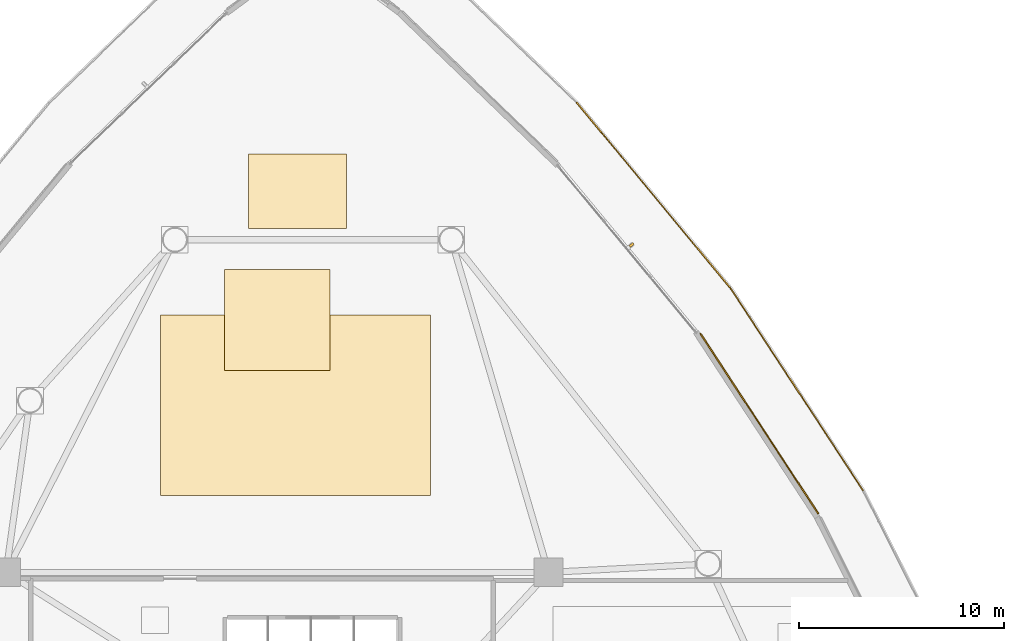
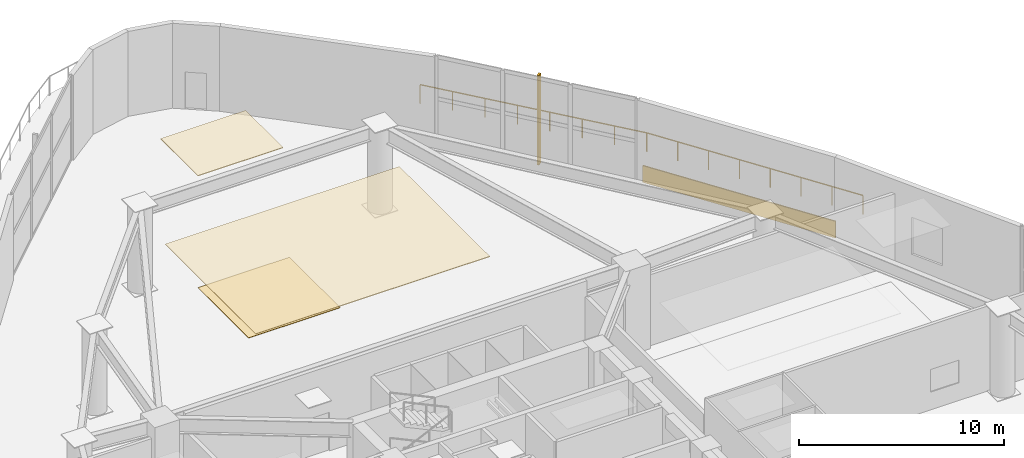
# One storey, part 23 of 25: 4 coverings, 2 railings, 1 shading device.
"""IFC4 building model written with IfcOpenShell, lengths in metres."""

from ifc_helpers import new_model, si_unit, direction, frame, origin, origin_2d, place, context, subcontext, project, spatial, polyline, rectangle, outline, extrude, source, transform, mapped, material, layer, layer_set, type_object, type_shapes, element, save


model = new_model("IFC4")

# Units and contexts
model_context = context("Model", 3, precision=1e-05, world=origin(), true_north=direction((0.0, 1.0)))
body_context = subcontext(model_context, "Body", "Model", "MODEL_VIEW")
ifc_project = project(units=[si_unit("LENGTHUNIT", "METRE"), si_unit("AREAUNIT", "SQUARE_METRE"), si_unit("VOLUMEUNIT", "CUBIC_METRE"), si_unit("PLANEANGLEUNIT", "RADIAN"), si_unit("MASSUNIT", "GRAM", prefix="KILO")], contexts=[model_context])

# Site, building, storey
site_placement = place(None, origin())
site = spatial("IfcSite", under=ifc_project, at=site_placement, CompositionType="ELEMENT")
building_placement = place(site_placement, origin())
building = spatial("IfcBuilding", under=site, at=building_placement, Name="Tavelor Broadcast Tower", CompositionType="ELEMENT")
storey_placement = place(building_placement, frame((0.0, 0.0, 11.39990234375)))
storey = spatial("IfcBuildingStorey", under=building, at=storey_placement, Name="L02", CompositionType="ELEMENT", Elevation=11.39990234375)

# Covering
ifc_material_1 = material(Name="Acoustic Nylon Carpet Tile")
ifc_layer_1 = layer(ifc_material_1, 0.02001953125)
ifc_layer_set_1 = layer_set([ifc_layer_1], Name="Acoustic Nylon Carpet Tile")
covering_type_1 = type_object("IfcCoveringType", Name="Heavy-Duty Acoustic Broadcast Carpet Tile 20 mm", PredefinedType="FLOORING", material=ifc_layer_set_1)
covering_1_placement = place(storey_placement, origin())
element("IfcCovering", 1, at=covering_1_placement, inside=storey, type_object=covering_type_1, Name="L02 Broadcast Floor Finish 0028", PredefinedType="FLOORING", context=body_context, shape_type="SweptSolid", body=[
    extrude(outline(polyline([(45.67431640625, 66.35205078125), (50.82568359375, 66.35205078125), (50.82568359375, 71.292236328125), (45.67431640625, 71.292236328125), (45.67431640625, 66.35205078125)])), origin(), (0.0, 0.0, 1.0), 0.02001953125),
])

# Railings
ifc_material_2 = material(Name="Steel S355", Category="steel")
railing_type = type_object("IfcRailingType", Name="Planted Terrace Laminated Glass Balustrade 1150 mm", PredefinedType="BALUSTRADE", material=ifc_material_2)
railing_1_placement = place(storey_placement, frame((76.860595703125, 60.50146484375, 0.0)))
element("IfcRailing", 2, at=railing_1_placement, inside=storey, type_object=railing_type, Name="L02 Cascading Garden Terrace 1 Balustrade #61", PredefinedType="BALUSTRADE", context=body_context, shape_type="SweptSolid", body=[
    extrude(rectangle(XDim=0.048095703125, YDim=0.048095703125, at=origin_2d()), frame((0.0, 0.0, 1.1259765625), z_axis=(-0.547797497948, 0.836610961703, 0.0), x_axis=(-0.836610961703, -0.547797497948, 0.0)), (0.0, 0.0, 1.0), 11.7939453125),
    extrude(rectangle(XDim=0.0419921875, YDim=0.0419921875, at=origin_2d()), origin(), (0.0, 0.0, 1.0), 1.101806640625),
    extrude(rectangle(XDim=0.0419921875, YDim=0.0419921875, at=origin_2d()), frame((-0.9228515625, 1.40966796875, 0.0)), (0.0, 0.0, 1.0), 1.101806640625),
    extrude(rectangle(XDim=0.0419921875, YDim=0.0419921875, at=origin_2d()), frame((-1.845947265625, 2.819091796875, 0.0)), (0.0, 0.0, 1.0), 1.101806640625),
    extrude(rectangle(XDim=0.0419921875, YDim=0.0419921875, at=origin_2d()), frame((-2.768798828125, 4.228759765625, 0.0)), (0.0, 0.0, 1.0), 1.101806640625),
    extrude(rectangle(XDim=0.0419921875, YDim=0.0419921875, at=origin_2d()), frame((-3.69189453125, 5.63818359375, 0.0)), (0.0, 0.0, 1.0), 1.101806640625),
    extrude(rectangle(XDim=0.0419921875, YDim=0.0419921875, at=origin_2d()), frame((-4.61474609375, 7.0478515625, 0.0)), (0.0, 0.0, 1.0), 1.101806640625),
    extrude(rectangle(XDim=0.0419921875, YDim=0.0419921875, at=origin_2d()), frame((-5.537841796875, 8.457275390625, 0.0)), (0.0, 0.0, 1.0), 1.101806640625),
    extrude(rectangle(XDim=0.0419921875, YDim=0.0419921875, at=origin_2d()), frame((-6.460693359375, 9.866943359375, 0.0)), (0.0, 0.0, 1.0), 1.101806640625),
])
railing_2_placement = place(storey_placement, frame((70.406494140625, 70.359375, 0.0)))
element("IfcRailing", 3, at=railing_2_placement, inside=storey, type_object=railing_type, Name="L02 Cascading Garden Terrace 1 Balustrade #62", PredefinedType="BALUSTRADE", context=body_context, shape_type="SweptSolid", body=[
    extrude(rectangle(XDim=0.048095703125, YDim=0.048095703125, at=origin_2d()), frame((0.0, 0.0, 1.1259765625), z_axis=(-0.638070467741, 0.76997797254, 0.0), x_axis=(-0.76997797254, -0.638070467741, 0.0)), (0.0, 0.0, 1.0), 11.793701171875),
    extrude(rectangle(XDim=0.0419921875, YDim=0.0419921875, at=origin_2d()), origin(), (0.0, 0.0, 1.0), 1.101806640625),
    extrude(rectangle(XDim=0.0419921875, YDim=0.0419921875, at=origin_2d()), frame((-1.074951171875, 1.29736328125, 0.0)), (0.0, 0.0, 1.0), 1.101806640625),
    extrude(rectangle(XDim=0.0419921875, YDim=0.0419921875, at=origin_2d()), frame((-2.150146484375, 2.594482421875, 0.0)), (0.0, 0.0, 1.0), 1.101806640625),
    extrude(rectangle(XDim=0.0419921875, YDim=0.0419921875, at=origin_2d()), frame((-3.22509765625, 3.891845703125, 0.0)), (0.0, 0.0, 1.0), 1.101806640625),
    extrude(rectangle(XDim=0.0419921875, YDim=0.0419921875, at=origin_2d()), frame((-4.300048828125, 5.18896484375, 0.0)), (0.0, 0.0, 1.0), 1.101806640625),
    extrude(rectangle(XDim=0.0419921875, YDim=0.0419921875, at=origin_2d()), frame((-5.375, 6.486328125, 0.0)), (0.0, 0.0, 1.0), 1.101806640625),
    extrude(rectangle(XDim=0.0419921875, YDim=0.0419921875, at=origin_2d()), frame((-6.4501953125, 7.783447265625, 0.0)), (0.0, 0.0, 1.0), 1.101806640625),
    extrude(rectangle(XDim=0.0419921875, YDim=0.0419921875, at=origin_2d()), frame((-7.525146484375, 9.080810546875, 0.0)), (0.0, 0.0, 1.0), 1.101806640625),
])

# Coverings
ifc_material_3 = material(Name="Kiln-Fired Glazed Terracotta", Category="masonry")
ifc_layer_2 = layer(ifc_material_3, 0.06494140625)
ifc_layer_set_2 = layer_set([ifc_layer_2], Name="Kiln-Fired Glazed Terracotta")
covering_type_2 = type_object("IfcCoveringType", Name="Ribbed Terracotta Rainscreen Spandrel Cladding 65 mm", PredefinedType="CLADDING", material=ifc_layer_set_2)
covering_2_placement = place(storey_placement, frame((71.795166015625, 63.7705078125, 0.050048828125), z_axis=(0.0, 0.0, 1.0), x_axis=(-0.547855275974, 0.836573126862, 0.0)))
element("IfcCovering", 4, at=covering_2_placement, inside=storey, type_object=covering_type_2, Name="L02 Terracotta Spandrel Rainscreen 28", PredefinedType="CLADDING", context=body_context, shape_type="SweptSolid", body=[
    extrude(rectangle(XDim=10.533203125, YDim=0.06494140625, at=origin_2d()), origin(), (0.0, 0.0, 1.0), 1.0),
])
ifc_material_4 = material(Name="Acoustic Mineral Fibre Tile")
ifc_layer_3 = layer(ifc_material_4, 0.0400390625)
ifc_layer_set_3 = layer_set([ifc_layer_3], Name="Acoustic Mineral Fibre Tile")
covering_type_3 = type_object("IfcCoveringType", Name="Suspended Acoustic Mineral-Fibre Office Ceiling 40 mm", PredefinedType="CEILING", material=ifc_layer_set_3)
covering_3_placement = place(storey_placement, frame((0.0, 0.0, 5.010009765625)))
element("IfcCovering", 5, at=covering_3_placement, inside=storey, type_object=covering_type_3, Name="L02 Suspended Acoustic Ceiling 0070", PredefinedType="CEILING", context=body_context, shape_type="SweptSolid", body=[
    extrude(outline(polyline([(46.836181640625, 73.30859375), (51.626708984375, 73.30859375), (51.626708984375, 76.948974609375), (46.836181640625, 76.948974609375), (46.836181640625, 73.30859375)])), origin(), (0.0, 0.0, 1.0), 0.0400390625),
])
covering_4_placement = place(storey_placement, frame((0.0, 0.0, 5.010009765625)))
element("IfcCovering", 6, at=covering_4_placement, inside=storey, type_object=covering_type_3, Name="L02 Suspended Acoustic Ceiling 0071", PredefinedType="CEILING", context=body_context, shape_type="SweptSolid", body=[
    extrude(outline(polyline([(42.548095703125, 60.2587890625), (55.727783203125, 60.2587890625), (55.727783203125, 69.076904296875), (42.548095703125, 69.076904296875), (42.548095703125, 60.2587890625)])), origin(), (0.0, 0.0, 1.0), 0.0400390625),
])

# Shading device
shading_device_type = type_object("IfcShadingDeviceType", Name="Extruded Terracotta Baguette Sun-Screen 110x240", PredefinedType="JALOUSIE", material=ifc_material_3)
shared_shape = source(origin(), body_context, "Body", "SweptSolid", [
    extrude(rectangle(XDim=0.110107421875, YDim=0.239990234375, at=origin_2d()), origin(), (0.0, 0.0, 1.0), 5.340087890625),
])
type_shapes(shading_device_type, [shared_shape])
shading_device_placement = place(storey_placement, frame((65.55419921875, 72.494384765625, -0.31005859375), z_axis=(0.0, 0.0, 1.0), x_axis=(-0.638096146601, 0.769956692089, 0.0)))
element("IfcShadingDevice", 7, at=shading_device_placement, inside=storey, type_object=shading_device_type, Name="L02 Terracotta Baguette Fin 12", PredefinedType="JALOUSIE", context=body_context, shape_type="MappedRepresentation", body=[
    mapped(shared_shape, transform((0.0, 0.0, 0.0), scale=1.0)),
])

save(model, "model.ifc")
